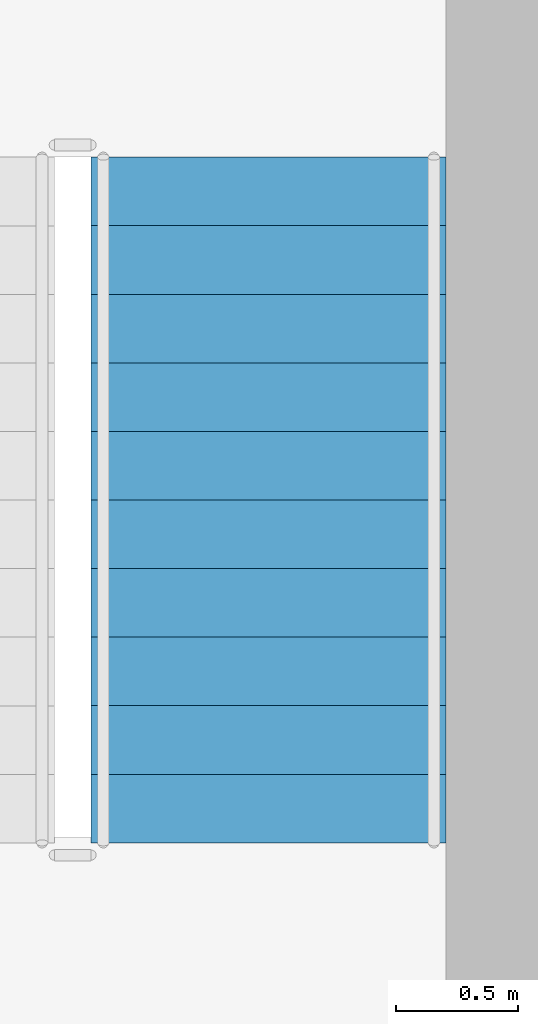
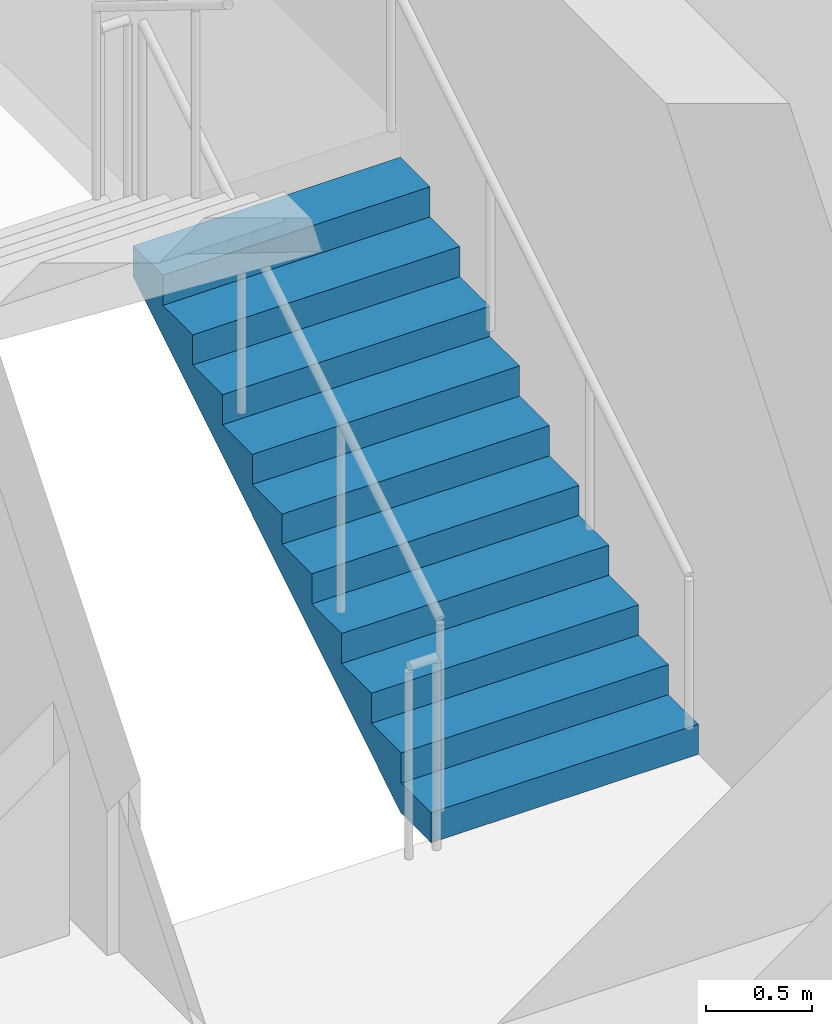
# One storey, part 35 of 38: 1 stair flight, 1 element without a shape of its own.
"""IFC4 building model written with IfcOpenShell, lengths in metres."""

import ifcopenshell
import ifcopenshell.guid

model = None  # the IFC model being written
_history = None  # IfcOwnerHistory: only IFC2X3 demands one
_inside = {}  # id of a spatial element -> (the spatial element, [elements in it])
_under = {}  # id of a project, library or spatial element -> (it, [spatial elements below it])
_declared = {}  # id of a project -> (the project, [libraries it declares])
_typed = {}  # id of a type object -> (the type object, [elements of that type])
_made_of = {}  # id of a material, layer set ... -> (it, [elements and type objects made of it])


def new_model(schema):
    """Start an empty IFC model of exactly this schema.

    Asked for "IFC4X3", IfcOpenShell would pick the latest addendum, in which some entities
    have other attributes; the version numbers below select the first issue.
    IFC2X3 requires an IfcOwnerHistory on every rooted entity: one is made here for all.
    """
    global model, _history
    if schema == "IFC4X3":
        model = ifcopenshell.file(schema_version=(4, 3, 0, 0))
    else:
        model = ifcopenshell.file(schema=schema)
    _inside.clear()
    _under.clear()
    _declared.clear()
    _typed.clear()
    _made_of.clear()
    _history = None
    if model.schema == "IFC2X3":
        org = make("IfcOrganization", Name="unknown")
        user = make(
            "IfcPersonAndOrganization",
            ThePerson=make("IfcPerson", FamilyName="unknown"),
            TheOrganization=org,
        )
        app = make(
            "IfcApplication",
            ApplicationDeveloper=org,
            Version="unknown",
            ApplicationFullName="unknown",
            ApplicationIdentifier="unknown",
        )
        _history = make(
            "IfcOwnerHistory",
            OwningUser=user,
            OwningApplication=app,
            ChangeAction="ADDED",
            CreationDate=0,
        )
    return model


def make(cls, **values):
    """One entity of the class cls with the attributes given. An attribute that is None is left unset."""
    return model.create_entity(
        cls, **{name: value for name, value in values.items() if value is not None}
    )


def rooted(cls, **values):
    """An entity with a GlobalId (a new one), such as an element, a storey or a relation."""
    return make(cls, GlobalId=ifcopenshell.guid.new(), OwnerHistory=_history, **values)


def si_unit(unit_type, name, prefix=None):
    """IfcSIUnit, for example si_unit("LENGTHUNIT", "METRE", prefix="MILLI")."""
    return make("IfcSIUnit", UnitType=unit_type, Prefix=prefix, Name=name)


def assignment(units):
    """IfcUnitAssignment: the units of a project."""
    return None if units is None else make("IfcUnitAssignment", Units=units)


def point(xyz):
    """IfcCartesianPoint."""
    return None if xyz is None else make("IfcCartesianPoint", Coordinates=xyz)


def direction(xyz):
    """IfcDirection."""
    return None if xyz is None else make("IfcDirection", DirectionRatios=xyz)


def frame(location, z_axis=None, x_axis=None):
    """IfcAxis2Placement3D, a coordinate frame: its origin and axes. An axis left out is left unset."""
    return make(
        "IfcAxis2Placement3D",
        Location=point(location),
        Axis=direction(z_axis),
        RefDirection=direction(x_axis),
    )


def origin():
    """The frame at (0, 0, 0) with its axes left unset."""
    return frame((0.0, 0.0, 0.0))


def place(relative_to, where):
    """IfcLocalPlacement: puts the frame where relative to a parent placement (None: the world)."""
    return make(
        "IfcLocalPlacement", PlacementRelTo=relative_to, RelativePlacement=where
    )


def context(
    kind, dimensions, precision=None, world=None, true_north=None, identifier=None
):
    """IfcGeometricRepresentationContext, for example the 3D "Model" context."""
    return make(
        "IfcGeometricRepresentationContext",
        ContextIdentifier=identifier,
        ContextType=kind,
        CoordinateSpaceDimension=dimensions,
        Precision=precision,
        WorldCoordinateSystem=world,
        TrueNorth=true_north,
    )


def subcontext(parent, identifier, kind, view, scale=None):
    """IfcGeometricRepresentationSubContext, for example "Body" below "Model"."""
    return make(
        "IfcGeometricRepresentationSubContext",
        ContextIdentifier=identifier,
        ContextType=kind,
        ParentContext=parent,
        TargetScale=scale,
        TargetView=view,
    )


def project(units=None, contexts=None):
    """IfcProject with its units and contexts."""
    return rooted(
        "IfcProject",
        Name="project",
        RepresentationContexts=contexts,
        UnitsInContext=assignment(units),
    )


def spatial(cls, under=None, at=None, **own):
    """A site, building, storey or space (cls), placed at a placement, below another one or the project."""
    s = rooted(cls, ObjectPlacement=at, **own)
    if under is not None:
        _under.setdefault(under.id(), (under, []))[1].append(s)
    return s


def polyline(points):
    """IfcPolyline through the points."""
    return make("IfcPolyline", Points=[point(p) for p in points])


def outline(outer, holes=None, kind="AREA"):
    """IfcArbitraryClosedProfileDef: a profile drawn as a closed curve; with holes, ...WithVoids."""
    if holes is None:
        return make("IfcArbitraryClosedProfileDef", ProfileType=kind, OuterCurve=outer)
    return make(
        "IfcArbitraryProfileDefWithVoids",
        ProfileType=kind,
        OuterCurve=outer,
        InnerCurves=holes,
    )


def extrude(swept, where, along, depth):
    """IfcExtrudedAreaSolid: the profile swept, set in the frame where, extruded along a direction by depth."""
    return make(
        "IfcExtrudedAreaSolid",
        SweptArea=swept,
        Position=where,
        ExtrudedDirection=direction(along),
        Depth=depth,
    )


def shape(context_of_items, identifier, shape_type, items):
    """IfcShapeRepresentation: the items that make up one representation, for example the "Body"."""
    return make(
        "IfcShapeRepresentation",
        ContextOfItems=context_of_items,
        RepresentationIdentifier=identifier,
        RepresentationType=shape_type,
        Items=items,
    )


def material(Name=None, Category=None):
    """IfcMaterial."""
    return make("IfcMaterial", Name=Name, Category=Category)


def made_of(thing, what):
    """Note that an element or type object is made of a material, layer set ...; save() writes the relation."""
    if what is not None:
        _made_of.setdefault(what.id(), (what, []))[1].append(thing)
    return thing


def type_object(cls, material=None, **own):
    """A type object (cls), such as IfcWallType, which elements share."""
    return made_of(rooted(cls, **own), material)


def element(
    cls,
    number,
    at=None,
    inside=None,
    cuts=None,
    type_object=None,
    material=None,
    context=None,
    identifier="Body",
    shape_type=None,
    held_by="IfcProductDefinitionShape",
    body=None,
    shapes=None,
    **own,
):
    """One element of the class cls, such as IfcWall. Its Tag is "e" and its number.

    at: its placement. inside: the storey or other place that contains it. cuts: it is an
    opening in that element (IfcRelVoidsElement). A single representation is given by context,
    identifier, shape_type and body (its items); several are given by shapes. held_by: the class
    of the entity that holds the representations. save() writes the other relations.
    """
    e = rooted(cls, Tag="e%d" % number, ObjectPlacement=at, **own)
    if body is not None:
        shapes = [shape(context, identifier, shape_type, body)]
    if shapes is not None:
        e.Representation = make(held_by, Representations=shapes)
    if inside is not None:
        _inside.setdefault(inside.id(), (inside, []))[1].append(e)
    if cuts is not None:
        rooted(
            "IfcRelVoidsElement", RelatingBuildingElement=cuts, RelatedOpeningElement=e
        )
    if type_object is not None:
        _typed.setdefault(type_object.id(), (type_object, []))[1].append(e)
    return made_of(e, material)


def aggregate(whole, parts):
    """IfcRelAggregates: a whole, such as a stair, and the parts it consists of."""
    return rooted("IfcRelAggregates", RelatingObject=whole, RelatedObjects=parts)


def save(model, path):
    """Write the relations noted so far, then the file.

    IfcRelAggregates (storeys below a building ...), IfcRelContainedInSpatialStructure (elements
    in a storey), IfcRelDefinesByType, IfcRelAssociatesMaterial and IfcRelDeclares: one each for
    every whole, place, type object, material and project.
    """
    for whole, parts in _under.values():
        aggregate(whole, parts)
    for where, things in _inside.values():
        rooted(
            "IfcRelContainedInSpatialStructure",
            RelatedElements=things,
            RelatingStructure=where,
        )
    for kind, things in _typed.values():
        rooted("IfcRelDefinesByType", RelatedObjects=things, RelatingType=kind)
    for what, things in _made_of.values():
        rooted("IfcRelAssociatesMaterial", RelatedObjects=things, RelatingMaterial=what)
    for by, libraries in _declared.values():
        rooted("IfcRelDeclares", RelatingContext=by, RelatedDefinitions=libraries)
    model.write(path)


model = new_model("IFC4")

# Units and contexts
model_context = context("Model", 3, precision=1e-05, world=origin(), true_north=direction((0.0, 1.0)))
body_context = subcontext(model_context, "Body", "Model", "MODEL_VIEW")
ifc_project = project(units=[si_unit("LENGTHUNIT", "METRE"), si_unit("AREAUNIT", "SQUARE_METRE"), si_unit("VOLUMEUNIT", "CUBIC_METRE"), si_unit("PLANEANGLEUNIT", "RADIAN"), si_unit("MASSUNIT", "GRAM", prefix="KILO")], contexts=[model_context])

# Site, building, storey
site_placement = place(None, origin())
site = spatial("IfcSite", under=ifc_project, at=site_placement, CompositionType="ELEMENT")
building_placement = place(site_placement, origin())
building = spatial("IfcBuilding", under=site, at=building_placement, Name="Saevonmaru Cultural Tower", CompositionType="ELEMENT")
storey_placement = place(building_placement, frame((0.0, 0.0, 137.199951171875)))
storey = spatial("IfcBuildingStorey", under=building, at=storey_placement, Name="L29", CompositionType="ELEMENT", Elevation=137.199951171875)

# Stair, stair flight
ifc_material_1 = material(Name="Concrete C40/50", Category="concrete")
stair_type = type_object("IfcStairType", Name="STR-DOGLEG-RC", PredefinedType="HALF_TURN_STAIR", material=ifc_material_1)
stair_placement = place(storey_placement, origin())
stair = element("IfcStair", 1, at=stair_placement, inside=storey, type_object=stair_type, Name="L29 Protected exit stair ST-2", PredefinedType="HALF_TURN_STAIR")
ifc_material_2 = material(Name="Precast concrete C40/50", Category="concrete")
stair_flight_type = type_object("IfcStairFlightType", Name="STF-PRECAST-180", PredefinedType="STRAIGHT", material=ifc_material_2)
stair_flight_placement = place(storey_placement, frame((45.074951171875, 44.85009765625, 0.0), z_axis=(0.0, 0.0, 1.0), x_axis=(0.0, 1.0, 0.0)))
stair_flight = element("IfcStairFlight", 2, at=stair_flight_placement, type_object=stair_flight_type, Name="ST-2-L29 flight 1", NumberOfRisers=11, NumberOfTreads=10, PredefinedType="STRAIGHT", RiserHeight=0.172727273, TreadLength=0.28, context=body_context, shape_type="SweptSolid", body=[
    extrude(outline(polyline([(0.0, 0.0), (0.0, 0.172607421875), (0.280029296875, 0.172607421875), (0.280029296875, 0.345458984375), (0.56005859375, 0.345458984375), (0.56005859375, 0.51806640625), (0.840087890625, 0.51806640625), (0.840087890625, 0.69091796875), (1.1201171875, 0.69091796875), (1.1201171875, 0.863525390625), (1.39990234375, 0.863525390625), (1.39990234375, 1.036376953125), (1.679931640625, 1.036376953125), (1.679931640625, 1.208984375), (1.9599609375, 1.208984375), (1.9599609375, 1.3818359375), (2.239990234375, 1.3818359375), (2.239990234375, 1.554443359375), (2.52001953125, 1.554443359375), (2.52001953125, 1.727294921875), (2.800048828125, 1.727294921875), (2.800048828125, 1.89990234375), (2.800048828125, 1.551025390625), (0.285400390625, 0.0), (0.0, 0.0)])), frame((0.0, 0.72509765625, 0.0), z_axis=(0.0, -1.0, 0.0), x_axis=(1.0, 0.0, 0.0)), (0.0, 0.0, 1.0), 1.449951171875),
])
aggregate(stair, [stair_flight])

save(model, "model.ifc")
